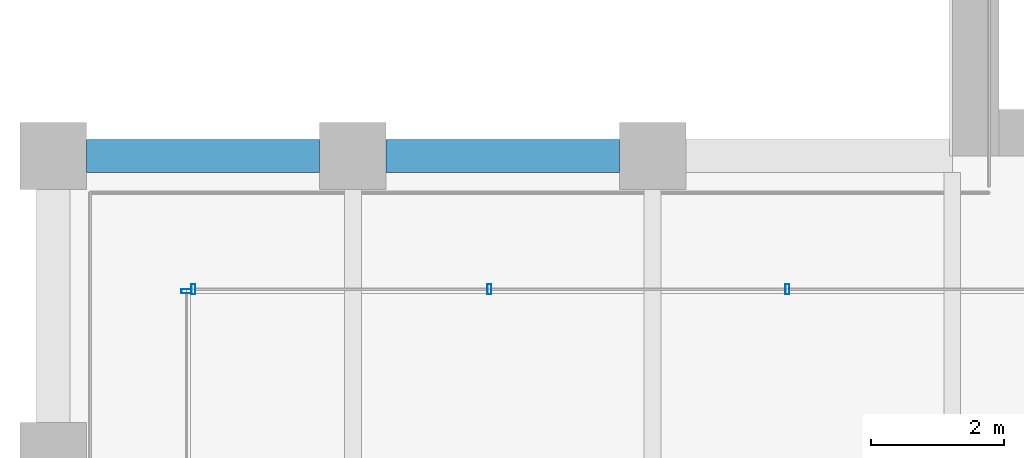
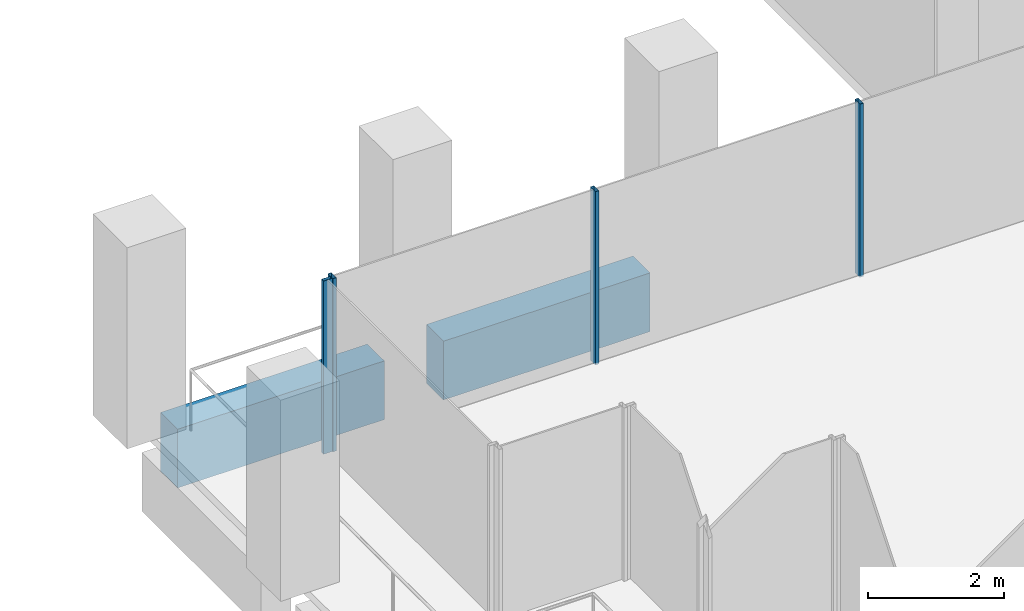
# One storey, part 5 of 46: 4 members, 2 beams, 2 elements without a shape of their own.
"""IFC4 building model written with IfcOpenShell, lengths in metres."""

from ifc_helpers import new_model, si_unit, direction, frame, origin, origin_2d, place, context, subcontext, project, spatial, rectangle, hollow_rectangle, extrude, material, material_profile, profile_set, type_object, element, aggregate, save


model = new_model("IFC4")

# Units and contexts
model_context = context("Model", 3, precision=1e-05, world=origin(), true_north=direction((0.0, 1.0)))
body_context = subcontext(model_context, "Body", "Model", "MODEL_VIEW")
ifc_project = project(units=[si_unit("LENGTHUNIT", "METRE"), si_unit("AREAUNIT", "SQUARE_METRE"), si_unit("VOLUMEUNIT", "CUBIC_METRE"), si_unit("PLANEANGLEUNIT", "RADIAN"), si_unit("MASSUNIT", "GRAM", prefix="KILO")], contexts=[model_context])

# Site, building, storey
site_placement = place(None, origin())
site = spatial("IfcSite", under=ifc_project, at=site_placement, CompositionType="ELEMENT")
building_placement = place(site_placement, origin())
building = spatial("IfcBuilding", under=site, at=building_placement, Name="Altepetl Exchange Towers", CompositionType="ELEMENT")
storey_placement = place(building_placement, frame((0.0, 0.0, 135.199951171875)))
storey = spatial("IfcBuildingStorey", under=building, at=storey_placement, Name="L33", CompositionType="ELEMENT", Elevation=135.199951171875)

# Curtain wall, members
ifc_material_1 = material(Name="Aluminium 6063-T6 glazing", Category="aluminium")
curtain_wall_type = type_object("IfcCurtainWallType", Name="Loggia glazing system", PredefinedType="NOTDEFINED", material=ifc_material_1)
curtain_wall_1_placement = place(storey_placement, origin())
curtain_wall_1 = element("IfcCurtainWall", 1, at=curtain_wall_1_placement, inside=storey, type_object=curtain_wall_type, Name="CW1 run", PredefinedType="NOTDEFINED")
ifc_material_2 = material(Name="Aluminium 6063-T6", Category="aluminium")
ifc_material_profile_1 = material_profile(ifc_material_2, hollow_rectangle(XDim=0.06005859375, YDim=0.14990234375, WallThickness=0.0029296875, at=origin_2d()), Name="Mullion 60x150 aluminium")
ifc_profile_set_1 = profile_set([ifc_material_profile_1], Name="Aluminium 6063-T6")
member_type = type_object("IfcMemberType", Name="Mullion 60x150 aluminium", PredefinedType="MULLION", material=ifc_profile_set_1)
member_1_placement = place(storey_placement, frame((38.02490234375, 38.5, 0.0), z_axis=(0.0, 0.0, 1.0), x_axis=(-1.0, 0.0, 0.0)))
member_1 = element("IfcMember", 2, at=member_1_placement, type_object=member_type, Name="MU1 mullion", PredefinedType="MULLION", context=body_context, shape_type="SweptSolid", body=[
    extrude(hollow_rectangle(XDim=0.06005859375, YDim=0.14990234375, WallThickness=0.0029296875, at=origin_2d()), origin(), (0.0, 0.0, 1.0), 3.10009765625),
])
member_2_placement = place(storey_placement, frame((33.550048828125, 38.5, 0.0), z_axis=(0.0, 0.0, 1.0), x_axis=(-1.0, 0.0, 0.0)))
member_2 = element("IfcMember", 3, at=member_2_placement, type_object=member_type, Name="MU1 mullion", PredefinedType="MULLION", context=body_context, shape_type="SweptSolid", body=[
    extrude(hollow_rectangle(XDim=0.06005859375, YDim=0.14990234375, WallThickness=0.0029296875, at=origin_2d()), origin(), (0.0, 0.0, 1.0), 3.10009765625),
])
member_3_placement = place(storey_placement, frame((29.10498046875, 38.5, 0.0), z_axis=(0.0, 0.0, 1.0), x_axis=(-1.0, 0.0, 0.0)))
member_3 = element("IfcMember", 4, at=member_3_placement, type_object=member_type, Name="MU1 mullion", PredefinedType="MULLION", context=body_context, shape_type="SweptSolid", body=[
    extrude(hollow_rectangle(XDim=0.06005859375, YDim=0.14990234375, WallThickness=0.0029296875, at=origin_2d()), origin(), (0.0, 0.0, 1.0), 3.10009765625),
])
aggregate(curtain_wall_1, [member_1, member_2, member_3])

# Curtain wall, member
curtain_wall_2_placement = place(storey_placement, origin())
curtain_wall_2 = element("IfcCurtainWall", 5, at=curtain_wall_2_placement, inside=storey, type_object=curtain_wall_type, Name="CW1 run", PredefinedType="NOTDEFINED")
member_4_placement = place(storey_placement, frame((29.0, 38.469970703125, 0.0), z_axis=(0.0, 0.0, 1.0), x_axis=(0.0, -1.0, 0.0)))
member_4 = element("IfcMember", 6, at=member_4_placement, type_object=member_type, Name="MU1 mullion", PredefinedType="MULLION", context=body_context, shape_type="SweptSolid", body=[
    extrude(hollow_rectangle(XDim=0.06005859375, YDim=0.14990234375, WallThickness=0.0029296875, at=origin_2d()), origin(), (0.0, 0.0, 1.0), 3.10009765625),
])
aggregate(curtain_wall_2, [member_4])

# Beams
ifc_material_3 = material(Name="Concrete C50/60 precast with tezontle facing", Category="concrete")
ifc_material_profile_2 = material_profile(ifc_material_3, rectangle(XDim=0.5, YDim=1.050048828125, at=origin_2d()), Name="500 x 1050")
ifc_profile_set_2 = profile_set([ifc_material_profile_2], Name="Concrete C50/60 precast with tezontle facing")
beam_type = type_object("IfcBeamType", Name="Spandrel beam 500x1050 tezontle", PredefinedType="SPANDREL", material=ifc_profile_set_2)
for number, where, z_axis, x_axis, name in (
    (7, (35.5, 40.5, -0.675048828125), (-1.0, 0.0, 0.0), (0.0, -1.0, 0.0), "sp:A:L33:034"),
    (8, (31.0, 40.5, -0.675048828125), (-1.0, 0.0, 0.0), (0.0, -1.0, 0.0), "sp:A:L33:035"),
):
    element("IfcBeam", number, at=place(storey_placement, frame(where, z_axis=z_axis, x_axis=x_axis)), inside=storey, type_object=beam_type, Name=name, PredefinedType="SPANDREL", context=body_context, shape_type="SweptSolid", body=[
        extrude(rectangle(XDim=0.5, YDim=1.050048828125, at=origin_2d()), origin(), (0.0, 0.0, 1.0), 3.5),
    ])

save(model, "model.ifc")
